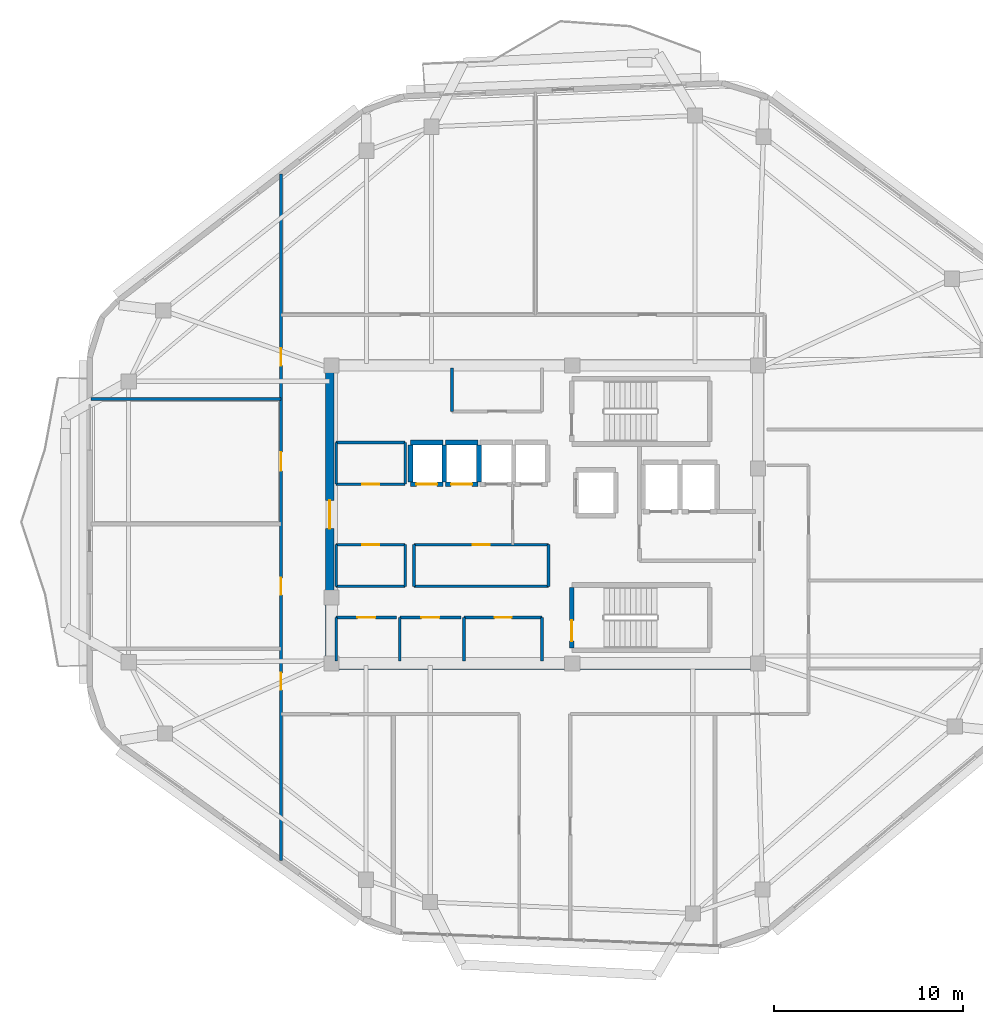
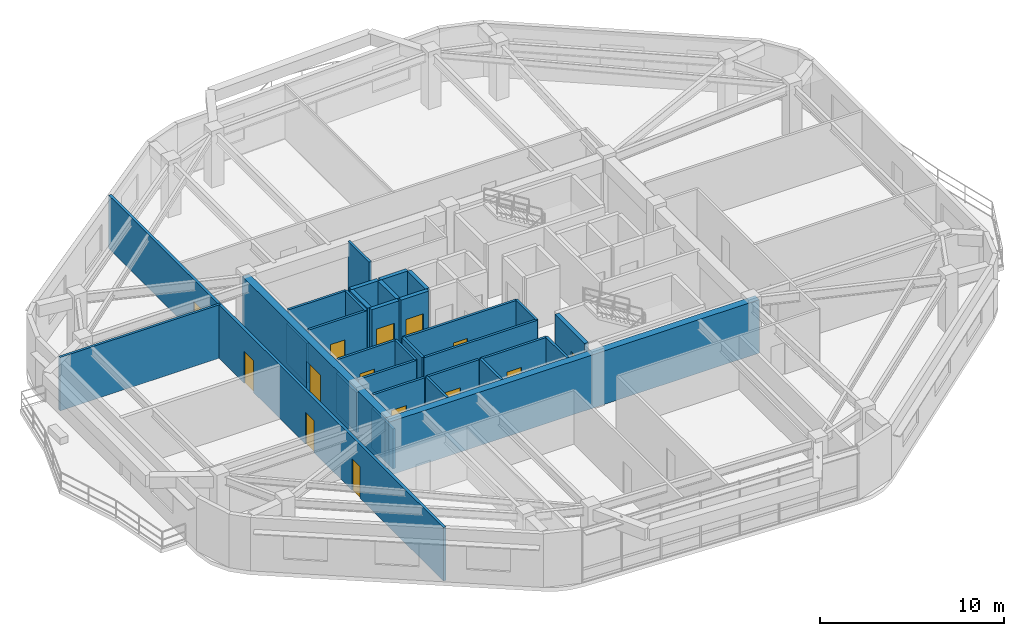
# One storey, part 8 of 13: 32 walls, 14 doors, 14 openings.
"""IFC4 building model written with IfcOpenShell, lengths in metres."""

import ifcopenshell
import ifcopenshell.guid

model = None  # the IFC model being written
_history = None  # IfcOwnerHistory: only IFC2X3 demands one
_inside = {}  # id of a spatial element -> (the spatial element, [elements in it])
_under = {}  # id of a project, library or spatial element -> (it, [spatial elements below it])
_declared = {}  # id of a project -> (the project, [libraries it declares])
_typed = {}  # id of a type object -> (the type object, [elements of that type])
_made_of = {}  # id of a material, layer set ... -> (it, [elements and type objects made of it])


def new_model(schema):
    """Start an empty IFC model of exactly this schema.

    Asked for "IFC4X3", IfcOpenShell would pick the latest addendum, in which some entities
    have other attributes; the version numbers below select the first issue.
    IFC2X3 requires an IfcOwnerHistory on every rooted entity: one is made here for all.
    """
    global model, _history
    if schema == "IFC4X3":
        model = ifcopenshell.file(schema_version=(4, 3, 0, 0))
    else:
        model = ifcopenshell.file(schema=schema)
    _inside.clear()
    _under.clear()
    _declared.clear()
    _typed.clear()
    _made_of.clear()
    _history = None
    if model.schema == "IFC2X3":
        org = make("IfcOrganization", Name="unknown")
        user = make(
            "IfcPersonAndOrganization",
            ThePerson=make("IfcPerson", FamilyName="unknown"),
            TheOrganization=org,
        )
        app = make(
            "IfcApplication",
            ApplicationDeveloper=org,
            Version="unknown",
            ApplicationFullName="unknown",
            ApplicationIdentifier="unknown",
        )
        _history = make(
            "IfcOwnerHistory",
            OwningUser=user,
            OwningApplication=app,
            ChangeAction="ADDED",
            CreationDate=0,
        )
    return model


def make(cls, **values):
    """One entity of the class cls with the attributes given. An attribute that is None is left unset."""
    return model.create_entity(
        cls, **{name: value for name, value in values.items() if value is not None}
    )


def rooted(cls, **values):
    """An entity with a GlobalId (a new one), such as an element, a storey or a relation."""
    return make(cls, GlobalId=ifcopenshell.guid.new(), OwnerHistory=_history, **values)


def si_unit(unit_type, name, prefix=None):
    """IfcSIUnit, for example si_unit("LENGTHUNIT", "METRE", prefix="MILLI")."""
    return make("IfcSIUnit", UnitType=unit_type, Prefix=prefix, Name=name)


def assignment(units):
    """IfcUnitAssignment: the units of a project."""
    return None if units is None else make("IfcUnitAssignment", Units=units)


def point(xyz):
    """IfcCartesianPoint."""
    return None if xyz is None else make("IfcCartesianPoint", Coordinates=xyz)


def direction(xyz):
    """IfcDirection."""
    return None if xyz is None else make("IfcDirection", DirectionRatios=xyz)


def frame(location, z_axis=None, x_axis=None):
    """IfcAxis2Placement3D, a coordinate frame: its origin and axes. An axis left out is left unset."""
    return make(
        "IfcAxis2Placement3D",
        Location=point(location),
        Axis=direction(z_axis),
        RefDirection=direction(x_axis),
    )


def frame_2d(location, x_axis=None):
    """IfcAxis2Placement2D, a coordinate frame in the plane: its origin and x axis."""
    return make(
        "IfcAxis2Placement2D", Location=point(location), RefDirection=direction(x_axis)
    )


def origin():
    """The frame at (0, 0, 0) with its axes left unset."""
    return frame((0.0, 0.0, 0.0))


def place(relative_to, where):
    """IfcLocalPlacement: puts the frame where relative to a parent placement (None: the world)."""
    return make(
        "IfcLocalPlacement", PlacementRelTo=relative_to, RelativePlacement=where
    )


def context(
    kind, dimensions, precision=None, world=None, true_north=None, identifier=None
):
    """IfcGeometricRepresentationContext, for example the 3D "Model" context."""
    return make(
        "IfcGeometricRepresentationContext",
        ContextIdentifier=identifier,
        ContextType=kind,
        CoordinateSpaceDimension=dimensions,
        Precision=precision,
        WorldCoordinateSystem=world,
        TrueNorth=true_north,
    )


def subcontext(parent, identifier, kind, view, scale=None):
    """IfcGeometricRepresentationSubContext, for example "Body" below "Model"."""
    return make(
        "IfcGeometricRepresentationSubContext",
        ContextIdentifier=identifier,
        ContextType=kind,
        ParentContext=parent,
        TargetScale=scale,
        TargetView=view,
    )


def project(units=None, contexts=None):
    """IfcProject with its units and contexts."""
    return rooted(
        "IfcProject",
        Name="project",
        RepresentationContexts=contexts,
        UnitsInContext=assignment(units),
    )


def spatial(cls, under=None, at=None, **own):
    """A site, building, storey or space (cls), placed at a placement, below another one or the project."""
    s = rooted(cls, ObjectPlacement=at, **own)
    if under is not None:
        _under.setdefault(under.id(), (under, []))[1].append(s)
    return s


def profile(cls, at=None, kind="AREA", **sizes):
    """A parametric profile (cls). Its sizes go by their IFC names, for example OverallWidth=200.0."""
    return make(cls, ProfileType=kind, Position=at, **sizes)


def rectangle(**sizes):
    """IfcRectangleProfileDef."""
    return profile("IfcRectangleProfileDef", **sizes)


def extrude(swept, where, along, depth):
    """IfcExtrudedAreaSolid: the profile swept, set in the frame where, extruded along a direction by depth."""
    return make(
        "IfcExtrudedAreaSolid",
        SweptArea=swept,
        Position=where,
        ExtrudedDirection=direction(along),
        Depth=depth,
    )


def shape(context_of_items, identifier, shape_type, items):
    """IfcShapeRepresentation: the items that make up one representation, for example the "Body"."""
    return make(
        "IfcShapeRepresentation",
        ContextOfItems=context_of_items,
        RepresentationIdentifier=identifier,
        RepresentationType=shape_type,
        Items=items,
    )


def material(Name=None, Category=None):
    """IfcMaterial."""
    return make("IfcMaterial", Name=Name, Category=Category)


def layer(
    of_material, thickness, ventilated=None, Name=None, Category=None, Priority=None
):
    """IfcMaterialLayer: one layer of a wall or slab, of a material (None: an air gap)."""
    return make(
        "IfcMaterialLayer",
        Material=of_material,
        LayerThickness=thickness,
        IsVentilated=ventilated,
        Name=Name,
        Category=Category,
        Priority=Priority,
    )


def layer_set(layers, Name=None):
    """IfcMaterialLayerSet."""
    return make("IfcMaterialLayerSet", MaterialLayers=layers, LayerSetName=Name)


def made_of(thing, what):
    """Note that an element or type object is made of a material, layer set ...; save() writes the relation."""
    if what is not None:
        _made_of.setdefault(what.id(), (what, []))[1].append(thing)
    return thing


def type_object(cls, material=None, **own):
    """A type object (cls), such as IfcWallType, which elements share."""
    return made_of(rooted(cls, **own), material)


def element(
    cls,
    number,
    at=None,
    inside=None,
    cuts=None,
    type_object=None,
    material=None,
    context=None,
    identifier="Body",
    shape_type=None,
    held_by="IfcProductDefinitionShape",
    body=None,
    shapes=None,
    **own,
):
    """One element of the class cls, such as IfcWall. Its Tag is "e" and its number.

    at: its placement. inside: the storey or other place that contains it. cuts: it is an
    opening in that element (IfcRelVoidsElement). A single representation is given by context,
    identifier, shape_type and body (its items); several are given by shapes. held_by: the class
    of the entity that holds the representations. save() writes the other relations.
    """
    e = rooted(cls, Tag="e%d" % number, ObjectPlacement=at, **own)
    if body is not None:
        shapes = [shape(context, identifier, shape_type, body)]
    if shapes is not None:
        e.Representation = make(held_by, Representations=shapes)
    if inside is not None:
        _inside.setdefault(inside.id(), (inside, []))[1].append(e)
    if cuts is not None:
        rooted(
            "IfcRelVoidsElement", RelatingBuildingElement=cuts, RelatedOpeningElement=e
        )
    if type_object is not None:
        _typed.setdefault(type_object.id(), (type_object, []))[1].append(e)
    return made_of(e, material)


def fill(opening, filler):
    """IfcRelFillsElement: the door or window that sits in an opening."""
    return rooted(
        "IfcRelFillsElement",
        RelatingOpeningElement=opening,
        RelatedBuildingElement=filler,
    )


def aggregate(whole, parts):
    """IfcRelAggregates: a whole, such as a stair, and the parts it consists of."""
    return rooted("IfcRelAggregates", RelatingObject=whole, RelatedObjects=parts)


def save(model, path):
    """Write the relations noted so far, then the file.

    IfcRelAggregates (storeys below a building ...), IfcRelContainedInSpatialStructure (elements
    in a storey), IfcRelDefinesByType, IfcRelAssociatesMaterial and IfcRelDeclares: one each for
    every whole, place, type object, material and project.
    """
    for whole, parts in _under.values():
        aggregate(whole, parts)
    for where, things in _inside.values():
        rooted(
            "IfcRelContainedInSpatialStructure",
            RelatedElements=things,
            RelatingStructure=where,
        )
    for kind, things in _typed.values():
        rooted("IfcRelDefinesByType", RelatedObjects=things, RelatingType=kind)
    for what, things in _made_of.values():
        rooted("IfcRelAssociatesMaterial", RelatedObjects=things, RelatingMaterial=what)
    for by, libraries in _declared.values():
        rooted("IfcRelDeclares", RelatingContext=by, RelatedDefinitions=libraries)
    model.write(path)


model = new_model("IFC4")

# Units and contexts
model_context = context("Model", 3, precision=1e-05, world=origin(), true_north=direction((0.0, 1.0)))
body_context = subcontext(model_context, "Body", "Model", "MODEL_VIEW")
ifc_project = project(units=[si_unit("LENGTHUNIT", "METRE"), si_unit("AREAUNIT", "SQUARE_METRE"), si_unit("VOLUMEUNIT", "CUBIC_METRE"), si_unit("PLANEANGLEUNIT", "RADIAN"), si_unit("MASSUNIT", "GRAM", prefix="KILO")], contexts=[model_context])

# Site, building, storey
site_placement = place(None, origin())
site = spatial("IfcSite", under=ifc_project, at=site_placement, CompositionType="ELEMENT")
building_placement = place(site_placement, origin())
building = spatial("IfcBuilding", under=site, at=building_placement, Name="Zulverin Broadcast Headquarters", CompositionType="ELEMENT")
storey_placement = place(building_placement, frame((0.0, 0.0, 301.0)))
storey = spatial("IfcBuildingStorey", under=building, at=storey_placement, Name="L77", CompositionType="ELEMENT", Elevation=301.0)

# Wall
ifc_material_1 = material(Name="Concrete C50/60", Category="concrete")
ifc_layer_1 = layer(ifc_material_1, 0.449951171875, Name="Concrete C50/60", Category="concrete")
ifc_layer_set_1 = layer_set([ifc_layer_1], Name="Concrete C50/60")
wall_type_1 = type_object("IfcWallType", Name="WL-CORE-450", PredefinedType="SHEAR", material=ifc_layer_set_1)
wall_1_placement = place(storey_placement, frame((25.39990234375, 17.22509765625, 0.0), z_axis=(0.0, 0.0, 1.0), x_axis=(1.0, 0.0, 0.0)))
element("IfcWall", 1, at=wall_1_placement, inside=storey, type_object=wall_type_1, Name="L77 Core South Shear Wall", PredefinedType="SHEAR", context=body_context, shape_type="SweptSolid", body=[
    extrude(rectangle(XDim=23.2001953125, YDim=0.449951171875, at=frame_2d((11.60009765625, 0.0))), origin(), (0.0, 0.0, 1.0), 3.5400390625),
])

# Wall, opening, door
wall_2_placement = place(storey_placement, frame((25.625, 17.449951171875, 0.0), z_axis=(0.0, 0.0, 1.0), x_axis=(0.0, 1.0, 0.0)))
wall_2 = element("IfcWall", 2, at=wall_2_placement, inside=storey, type_object=wall_type_1, Name="L77 Core West Shear Wall", PredefinedType="SHEAR", context=body_context, shape_type="SweptSolid", body=[
    extrude(rectangle(XDim=15.5, YDim=0.449951171875, at=frame_2d((7.75, 0.0))), origin(), (0.0, 0.0, 1.0), 3.5400390625),
])
opening_1_placement = place(wall_2_placement, frame((7.0, 0.0, 0.0)))
opening_1 = element("IfcOpeningElement", 3, at=opening_1_placement, cuts=wall_2, Name="Opening D-L77-CW1", PredefinedType="OPENING", context=body_context, shape_type="SweptSolid", body=[
    extrude(rectangle(XDim=1.5, YDim=2.14990234375, at=frame_2d((0.75, 1.074951171875))), frame((0.0, 0.23486328125, 0.0), z_axis=(0.0, -1.0, 0.0), x_axis=(1.0, 0.0, 0.0)), (0.0, 0.0, 1.0), 0.469970703125),
])
ifc_material_2 = material(Name="Fire-rated glazed steel frame", Category="steel")
door_type_1 = type_object("IfcDoorType", Name="DR-COR-1500", OperationType="DOUBLE_DOOR_SINGLE_SWING", PredefinedType="DOOR", material=ifc_material_2)
door_1_placement = place(opening_1_placement, origin())
door_1 = element("IfcDoor", 4, at=door_1_placement, inside=storey, type_object=door_type_1, Name="L77 Central Lift Lobby West Portal Door", OperationType="DOUBLE_DOOR_SINGLE_SWING", OverallHeight=2.14990234375, OverallWidth=1.5, PredefinedType="DOOR", context=body_context, shape_type="SweptSolid", body=[
    extrude(rectangle(XDim=1.5, YDim=2.14990234375, at=frame_2d((0.75, 1.074951171875))), frame((0.0, 0.02490234375, 0.0), z_axis=(0.0, -1.0, 0.0), x_axis=(1.0, 0.0, 0.0)), (0.0, 0.0, 1.0), 0.050048828125),
])
fill(opening_1, door_1)

# Wall
ifc_material_3 = material(Name="Fire-rated gypsum stud partition", Category="gypsum")
ifc_layer_2 = layer(ifc_material_3, 0.14990234375, Name="Fire-rated gypsum stud partition", Category="gypsum")
ifc_layer_set_2 = layer_set([ifc_layer_2], Name="Fire-rated gypsum stud partition")
wall_type_2 = type_object("IfcWallType", Name="WL-PART-150", PredefinedType="PARTITIONING", material=ifc_layer_set_2)
wall_3_placement = place(storey_placement, frame((32.10009765625, 30.64990234375, 0.0), z_axis=(0.0, 0.0, 1.0), x_axis=(0.0, 1.0, 0.0)))
element("IfcWall", 5, at=wall_3_placement, inside=storey, type_object=wall_type_2, Name="L77 Core Accessible WC & Electrical Riser West Wall", PredefinedType="PARTITIONING", context=body_context, shape_type="SweptSolid", body=[
    extrude(rectangle(XDim=2.300048828125, YDim=0.14990234375, at=frame_2d((1.14990234375, 0.0))), origin(), (0.0, 0.0, 1.0), 3.5400390625),
])

# Wall, opening, door
wall_4_placement = place(storey_placement, frame((25.969970703125, 19.75, 0.0), z_axis=(0.0, 0.0, 1.0), x_axis=(1.0, 0.0, 0.0)))
wall_4 = element("IfcWall", 6, at=wall_4_placement, inside=storey, type_object=wall_type_2, Name="L77 Core Male WC Front Wall", PredefinedType="PARTITIONING", context=body_context, shape_type="SweptSolid", body=[
    extrude(rectangle(XDim=3.199951171875, YDim=0.14990234375, at=frame_2d((1.60009765625, 0.0))), origin(), (0.0, 0.0, 1.0), 3.5400390625),
])
opening_2_placement = place(wall_4_placement, frame((1.125, 0.0, 0.0)))
opening_2 = element("IfcOpeningElement", 7, at=opening_2_placement, cuts=wall_4, Name="Opening D-L77-SC1", PredefinedType="OPENING", context=body_context, shape_type="SweptSolid", body=[
    extrude(rectangle(XDim=0.949951171875, YDim=2.10009765625, at=frame_2d((0.47509765625, 1.050048828125))), frame((0.0, 0.0849609375, 0.0), z_axis=(0.0, -1.0, 0.0), x_axis=(1.0, 0.0, 0.0)), (0.0, 0.0, 1.0), 0.169921875),
])
ifc_material_4 = material(Name="Fire-rated moisture-resistant laminate leaf", Category="wood")
door_type_2 = type_object("IfcDoorType", Name="DR-WC-950", OperationType="SINGLE_SWING_LEFT", PredefinedType="DOOR", material=ifc_material_4)
door_2_placement = place(opening_2_placement, origin())
door_2 = element("IfcDoor", 8, at=door_2_placement, inside=storey, type_object=door_type_2, Name="L77 Male WC Door", OperationType="SINGLE_SWING_RIGHT", OverallHeight=2.10009765625, OverallWidth=0.949951171875, PredefinedType="DOOR", context=body_context, shape_type="SweptSolid", body=[
    extrude(rectangle(XDim=0.949951171875, YDim=2.10009765625, at=frame_2d((0.47509765625, 1.050048828125))), frame((0.0, 0.02490234375, 0.0), z_axis=(0.0, -1.0, 0.0), x_axis=(1.0, 0.0, 0.0)), (0.0, 0.0, 1.0), 0.050048828125),
])
fill(opening_2, door_2)

# Wall
wall_5_placement = place(storey_placement, frame((25.969970703125, 17.449951171875, 0.0), z_axis=(0.0, 0.0, 1.0), x_axis=(0.0, 1.0, 0.0)))
element("IfcWall", 9, at=wall_5_placement, inside=storey, type_object=wall_type_2, Name="L77 Core Male WC West Wall", PredefinedType="PARTITIONING", context=body_context, shape_type="SweptSolid", body=[
    extrude(rectangle(XDim=2.300048828125, YDim=0.14990234375, at=frame_2d((1.14990234375, 0.0))), origin(), (0.0, 0.0, 1.0), 2.639892578125),
])

# Wall, opening, door
wall_6_placement = place(storey_placement, frame((29.330078125, 19.75, 0.0), z_axis=(0.0, 0.0, 1.0), x_axis=(1.0, 0.0, 0.0)))
wall_6 = element("IfcWall", 10, at=wall_6_placement, inside=storey, type_object=wall_type_2, Name="L77 Core Female WC Front Wall", PredefinedType="PARTITIONING", context=body_context, shape_type="SweptSolid", body=[
    extrude(rectangle(XDim=3.239990234375, YDim=0.14990234375, at=frame_2d((1.6201171875, 0.0))), origin(), (0.0, 0.0, 1.0), 3.5400390625),
])
opening_3_placement = place(wall_6_placement, frame((1.14501953125, 0.0, 0.0)))
opening_3 = element("IfcOpeningElement", 11, at=opening_3_placement, cuts=wall_6, Name="Opening D-L77-SC2", PredefinedType="OPENING", context=body_context, shape_type="SweptSolid", body=[
    extrude(rectangle(XDim=0.949951171875, YDim=2.10009765625, at=frame_2d((0.47509765625, 1.050048828125))), frame((0.0, 0.0849609375, 0.0), z_axis=(0.0, -1.0, 0.0), x_axis=(1.0, 0.0, 0.0)), (0.0, 0.0, 1.0), 0.169921875),
])
door_3_placement = place(opening_3_placement, origin())
door_3 = element("IfcDoor", 12, at=door_3_placement, inside=storey, type_object=door_type_2, Name="L77 Female WC Door", OperationType="SINGLE_SWING_LEFT", OverallHeight=2.10009765625, OverallWidth=0.949951171875, PredefinedType="DOOR", context=body_context, shape_type="SweptSolid", body=[
    extrude(rectangle(XDim=0.949951171875, YDim=2.10009765625, at=frame_2d((0.47509765625, 1.050048828125))), frame((0.0, 0.02490234375, 0.0), z_axis=(0.0, -1.0, 0.0), x_axis=(1.0, 0.0, 0.0)), (0.0, 0.0, 1.0), 0.050048828125),
])
fill(opening_3, door_3)

# Wall
wall_7_placement = place(storey_placement, frame((29.330078125, 17.449951171875, 0.0), z_axis=(0.0, 0.0, 1.0), x_axis=(0.0, 1.0, 0.0)))
element("IfcWall", 13, at=wall_7_placement, inside=storey, type_object=wall_type_2, Name="L77 Core Female WC West Wall", PredefinedType="PARTITIONING", context=body_context, shape_type="SweptSolid", body=[
    extrude(rectangle(XDim=2.300048828125, YDim=0.14990234375, at=frame_2d((1.14990234375, 0.0))), origin(), (0.0, 0.0, 1.0), 3.5400390625),
])

# Wall, opening, door
wall_8_placement = place(storey_placement, frame((32.72998046875, 19.75, 0.0), z_axis=(0.0, 0.0, 1.0), x_axis=(1.0, 0.0, 0.0)))
wall_8 = element("IfcWall", 14, at=wall_8_placement, inside=storey, type_object=wall_type_2, Name="L77 Core Cleaner Store Front Wall", PredefinedType="PARTITIONING", context=body_context, shape_type="SweptSolid", body=[
    extrude(rectangle(XDim=4.1201171875, YDim=0.14990234375, at=frame_2d((2.06005859375, 0.0))), origin(), (0.0, 0.0, 1.0), 3.5400390625),
])
opening_4_placement = place(wall_8_placement, frame((1.610107421875, 0.0, 0.0)))
opening_4 = element("IfcOpeningElement", 15, at=opening_4_placement, cuts=wall_8, Name="Opening D-L77-SC3", PredefinedType="OPENING", context=body_context, shape_type="SweptSolid", body=[
    extrude(rectangle(XDim=0.89990234375, YDim=2.10009765625, at=frame_2d((0.449951171875, 1.050048828125))), frame((0.0, 0.0849609375, 0.0), z_axis=(0.0, -1.0, 0.0), x_axis=(1.0, 0.0, 0.0)), (0.0, 0.0, 1.0), 0.169921875),
])
ifc_material_5 = material(Name="Powder-coated steel access leaf", Category="steel")
door_type_3 = type_object("IfcDoorType", Name="DR-RISER-900", OperationType="SINGLE_SWING_LEFT", PredefinedType="DOOR", material=ifc_material_5)
door_4_placement = place(opening_4_placement, origin())
door_4 = element("IfcDoor", 16, at=door_4_placement, inside=storey, type_object=door_type_3, Name="L77 Cleaner Store Door", OperationType="SINGLE_SWING_RIGHT", OverallHeight=2.10009765625, OverallWidth=0.89990234375, PredefinedType="DOOR", context=body_context, shape_type="SweptSolid", body=[
    extrude(rectangle(XDim=0.89990234375, YDim=2.10009765625, at=frame_2d((0.449951171875, 1.050048828125))), frame((0.0, 0.02490234375, 0.0), z_axis=(0.0, -1.0, 0.0), x_axis=(1.0, 0.0, 0.0)), (0.0, 0.0, 1.0), 0.050048828125),
])
fill(opening_4, door_4)

# Walls
for number, where, z_axis, x_axis, name in (
    (17, (32.72998046875, 17.449951171875, 0.0), (0.0, 0.0, 1.0), (0.0, 1.0, 0.0), "L77 Core Cleaner Store West Wall"),
    (18, (36.85009765625, 17.449951171875, 0.0), (0.0, 0.0, 1.0), (0.0, 1.0, 0.0), "L77 Core Cleaner Store East Wall"),
):
    element("IfcWall", number, at=place(storey_placement, frame(where, z_axis=z_axis, x_axis=x_axis)), inside=storey, type_object=wall_type_2, Name=name, PredefinedType="PARTITIONING", context=body_context, shape_type="SweptSolid", body=[
        extrude(rectangle(XDim=2.300048828125, YDim=0.14990234375, at=frame_2d((1.14990234375, 0.0))), origin(), (0.0, 0.0, 1.0), 3.5400390625),
    ])

# Wall, opening, door
wall_9_placement = place(storey_placement, frame((25.969970703125, 26.800048828125, 0.0), z_axis=(0.0, 0.0, 1.0), x_axis=(1.0, 0.0, 0.0)))
wall_9 = element("IfcWall", 19, at=wall_9_placement, inside=storey, type_object=wall_type_2, Name="L77 Broadcast Signal Patch Room S Wall", PredefinedType="PARTITIONING", context=body_context, shape_type="SweptSolid", body=[
    extrude(rectangle(XDim=3.650146484375, YDim=0.14990234375, at=frame_2d((1.8251953125, 0.0))), origin(), (0.0, 0.0, 1.0), 3.5400390625),
])
opening_5_placement = place(wall_9_placement, frame((1.375, 0.0, 0.0)))
opening_5 = element("IfcOpeningElement", 20, at=opening_5_placement, cuts=wall_9, Name="Opening D-L77-RCLN", PredefinedType="OPENING", context=body_context, shape_type="SweptSolid", body=[
    extrude(rectangle(XDim=0.89990234375, YDim=2.10009765625, at=frame_2d((0.449951171875, 1.050048828125))), frame((0.0, 0.0849609375, 0.0), z_axis=(0.0, -1.0, 0.0), x_axis=(1.0, 0.0, 0.0)), (0.0, 0.0, 1.0), 0.169921875),
])
door_5_placement = place(opening_5_placement, origin())
door_5 = element("IfcDoor", 21, at=door_5_placement, inside=storey, type_object=door_type_3, Name="L77 Broadcast Signal Patch Room Door", OperationType="SINGLE_SWING_LEFT", OverallHeight=2.10009765625, OverallWidth=0.89990234375, PredefinedType="DOOR", context=body_context, shape_type="SweptSolid", body=[
    extrude(rectangle(XDim=0.89990234375, YDim=2.10009765625, at=frame_2d((0.449951171875, 1.050048828125))), frame((0.0, 0.02490234375, 0.0), z_axis=(0.0, -1.0, 0.0), x_axis=(1.0, 0.0, 0.0)), (0.0, 0.0, 1.0), 0.050048828125),
])
fill(opening_5, door_5)

# Walls
wall_10_placement = place(storey_placement, frame((25.969970703125, 29.0, 0.0), z_axis=(0.0, 0.0, 1.0), x_axis=(1.0, 0.0, 0.0)))
element("IfcWall", 22, at=wall_10_placement, inside=storey, type_object=wall_type_2, Name="L77 Broadcast Signal Patch Room N Wall", PredefinedType="PARTITIONING", context=body_context, shape_type="SweptSolid", body=[
    extrude(rectangle(XDim=3.650146484375, YDim=0.14990234375, at=frame_2d((1.8251953125, 0.0))), origin(), (0.0, 0.0, 1.0), 3.5400390625),
])
wall_11_placement = place(storey_placement, frame((25.969970703125, 26.800048828125, 0.0), z_axis=(0.0, 0.0, 1.0), x_axis=(0.0, 1.0, 0.0)))
element("IfcWall", 23, at=wall_11_placement, inside=storey, type_object=wall_type_2, Name="L77 Broadcast Signal Patch Room W Wall", PredefinedType="PARTITIONING", context=body_context, shape_type="SweptSolid", body=[
    extrude(rectangle(XDim=2.199951171875, YDim=0.14990234375, at=frame_2d((1.10009765625, 0.0))), origin(), (0.0, 0.0, 1.0), 2.639892578125),
])
wall_12_placement = place(storey_placement, frame((29.6201171875, 26.800048828125, 0.0), z_axis=(0.0, 0.0, 1.0), x_axis=(0.0, 1.0, 0.0)))
element("IfcWall", 24, at=wall_12_placement, inside=storey, type_object=wall_type_2, Name="L77 Broadcast Signal Patch Room E Wall", PredefinedType="PARTITIONING", context=body_context, shape_type="SweptSolid", body=[
    extrude(rectangle(XDim=2.199951171875, YDim=0.14990234375, at=frame_2d((1.10009765625, 0.0))), origin(), (0.0, 0.0, 1.0), 3.5400390625),
])
wall_13_placement = place(storey_placement, frame((25.969970703125, 21.39990234375, 0.0), z_axis=(0.0, 0.0, 1.0), x_axis=(1.0, 0.0, 0.0)))
element("IfcWall", 25, at=wall_13_placement, inside=storey, type_object=wall_type_2, Name="L77 Housekeeping Equipment Store S Wall", PredefinedType="PARTITIONING", context=body_context, shape_type="SweptSolid", body=[
    extrude(rectangle(XDim=3.650146484375, YDim=0.14990234375, at=frame_2d((1.8251953125, 0.0))), origin(), (0.0, 0.0, 1.0), 3.5400390625),
])

# Wall, opening, door
wall_14_placement = place(storey_placement, frame((25.969970703125, 23.60009765625, 0.0), z_axis=(0.0, 0.0, 1.0), x_axis=(1.0, 0.0, 0.0)))
wall_14 = element("IfcWall", 26, at=wall_14_placement, inside=storey, type_object=wall_type_2, Name="L77 Housekeeping Equipment Store N Wall", PredefinedType="PARTITIONING", context=body_context, shape_type="SweptSolid", body=[
    extrude(rectangle(XDim=3.650146484375, YDim=0.14990234375, at=frame_2d((1.8251953125, 0.0))), origin(), (0.0, 0.0, 1.0), 3.5400390625),
])
opening_6_placement = place(wall_14_placement, frame((1.375, 0.0, 0.0)))
opening_6 = element("IfcOpeningElement", 27, at=opening_6_placement, cuts=wall_14, Name="Opening D-L77-RCLS", PredefinedType="OPENING", context=body_context, shape_type="SweptSolid", body=[
    extrude(rectangle(XDim=0.89990234375, YDim=2.10009765625, at=frame_2d((0.449951171875, 1.050048828125))), frame((0.0, 0.0849609375, 0.0), z_axis=(0.0, -1.0, 0.0), x_axis=(1.0, 0.0, 0.0)), (0.0, 0.0, 1.0), 0.169921875),
])
door_6_placement = place(opening_6_placement, origin())
door_6 = element("IfcDoor", 28, at=door_6_placement, inside=storey, type_object=door_type_3, Name="L77 Housekeeping Equipment Store Door", OperationType="SINGLE_SWING_RIGHT", OverallHeight=2.10009765625, OverallWidth=0.89990234375, PredefinedType="DOOR", context=body_context, shape_type="SweptSolid", body=[
    extrude(rectangle(XDim=0.89990234375, YDim=2.10009765625, at=frame_2d((0.449951171875, 1.050048828125))), frame((0.0, 0.02490234375, 0.0), z_axis=(0.0, -1.0, 0.0), x_axis=(1.0, 0.0, 0.0)), (0.0, 0.0, 1.0), 0.050048828125),
])
fill(opening_6, door_6)

# Walls
wall_15_placement = place(storey_placement, frame((25.969970703125, 21.39990234375, 0.0), z_axis=(0.0, 0.0, 1.0), x_axis=(0.0, 1.0, 0.0)))
element("IfcWall", 29, at=wall_15_placement, inside=storey, type_object=wall_type_2, Name="L77 Housekeeping Equipment Store W Wall", PredefinedType="PARTITIONING", context=body_context, shape_type="SweptSolid", body=[
    extrude(rectangle(XDim=2.2001953125, YDim=0.14990234375, at=frame_2d((1.10009765625, 0.0))), origin(), (0.0, 0.0, 1.0), 2.639892578125),
])
wall_16_placement = place(storey_placement, frame((29.6201171875, 21.39990234375, 0.0), z_axis=(0.0, 0.0, 1.0), x_axis=(0.0, 1.0, 0.0)))
element("IfcWall", 30, at=wall_16_placement, inside=storey, type_object=wall_type_2, Name="L77 Housekeeping Equipment Store E Wall", PredefinedType="PARTITIONING", context=body_context, shape_type="SweptSolid", body=[
    extrude(rectangle(XDim=2.2001953125, YDim=0.14990234375, at=frame_2d((1.10009765625, 0.0))), origin(), (0.0, 0.0, 1.0), 3.5400390625),
])
wall_17_placement = place(storey_placement, frame((30.080078125, 21.39990234375, 0.0), z_axis=(0.0, 0.0, 1.0), x_axis=(1.0, 0.0, 0.0)))
element("IfcWall", 31, at=wall_17_placement, inside=storey, type_object=wall_type_2, Name="L77 Optical Telemetry Hub Room S Wall", PredefinedType="PARTITIONING", context=body_context, shape_type="SweptSolid", body=[
    extrude(rectangle(XDim=7.119873046875, YDim=0.14990234375, at=frame_2d((3.56005859375, 0.0))), origin(), (0.0, 0.0, 1.0), 3.5400390625),
])

# Wall, opening, door
wall_18_placement = place(storey_placement, frame((30.080078125, 23.60009765625, 0.0), z_axis=(0.0, 0.0, 1.0), x_axis=(1.0, 0.0, 0.0)))
wall_18 = element("IfcWall", 32, at=wall_18_placement, inside=storey, type_object=wall_type_2, Name="L77 Optical Telemetry Hub Room N Wall", PredefinedType="PARTITIONING", context=body_context, shape_type="SweptSolid", body=[
    extrude(rectangle(XDim=7.119873046875, YDim=0.14990234375, at=frame_2d((3.56005859375, 0.0))), origin(), (0.0, 0.0, 1.0), 3.5400390625),
])
opening_7_placement = place(wall_18_placement, frame((3.110107421875, 0.0, 0.0)))
opening_7 = element("IfcOpeningElement", 33, at=opening_7_placement, cuts=wall_18, Name="Opening D-L77-RM1", PredefinedType="OPENING", context=body_context, shape_type="SweptSolid", body=[
    extrude(rectangle(XDim=0.89990234375, YDim=2.10009765625, at=frame_2d((0.449951171875, 1.050048828125))), frame((0.0, 0.0849609375, 0.0), z_axis=(0.0, -1.0, 0.0), x_axis=(1.0, 0.0, 0.0)), (0.0, 0.0, 1.0), 0.169921875),
])
door_7_placement = place(opening_7_placement, origin())
door_7 = element("IfcDoor", 34, at=door_7_placement, inside=storey, type_object=door_type_3, Name="L77 Optical Telemetry Hub Room Door", OperationType="SINGLE_SWING_LEFT", OverallHeight=2.10009765625, OverallWidth=0.89990234375, PredefinedType="DOOR", context=body_context, shape_type="SweptSolid", body=[
    extrude(rectangle(XDim=0.89990234375, YDim=2.10009765625, at=frame_2d((0.449951171875, 1.050048828125))), frame((0.0, 0.02490234375, 0.0), z_axis=(0.0, -1.0, 0.0), x_axis=(1.0, 0.0, 0.0)), (0.0, 0.0, 1.0), 0.050048828125),
])
fill(opening_7, door_7)

# Walls
for number, where, z_axis, x_axis, name in (
    (35, (30.080078125, 21.39990234375, 0.0), (0.0, 0.0, 1.0), (0.0, 1.0, 0.0), "L77 Optical Telemetry Hub Room W Wall"),
    (36, (37.199951171875, 21.39990234375, 0.0), (0.0, 0.0, 1.0), (0.0, 1.0, 0.0), "L77 Optical Telemetry Hub Room E Wall"),
):
    element("IfcWall", number, at=place(storey_placement, frame(where, z_axis=z_axis, x_axis=x_axis)), inside=storey, type_object=wall_type_2, Name=name, PredefinedType="PARTITIONING", context=body_context, shape_type="SweptSolid", body=[
        extrude(rectangle(XDim=2.2001953125, YDim=0.14990234375, at=frame_2d((1.10009765625, 0.0))), origin(), (0.0, 0.0, 1.0), 3.5400390625),
    ])
wall_19_placement = place(storey_placement, frame((13.0048828125, 31.300048828125, 0.0), z_axis=(0.0, 0.0, 1.0), x_axis=(1.0, 0.0, 0.0)))
element("IfcWall", 37, at=wall_19_placement, inside=storey, type_object=wall_type_2, Name="L77 Room Partition Wall RP-17", PredefinedType="PARTITIONING", context=body_context, shape_type="SweptSolid", body=[
    extrude(rectangle(XDim=10.045166015625, YDim=0.14990234375, at=frame_2d((5.0224609375, 0.0))), origin(), (0.0, 0.0, 1.0), 3.5400390625),
])

# Wall, openings, doors
ifc_material_6 = material(Name="Fire-rated acoustic stud wall", Category="gypsum")
ifc_layer_3 = layer(ifc_material_6, 0.175048828125, Name="Fire-rated acoustic stud wall", Category="gypsum")
ifc_layer_set_3 = layer_set([ifc_layer_3], Name="Fire-rated acoustic stud wall")
wall_type_3 = type_object("IfcWallType", Name="WL-PART-175", PredefinedType="PARTITIONING", material=ifc_layer_set_3)
wall_20_placement = place(storey_placement, frame((23.050048828125, 6.89404296875, 0.0), z_axis=(0.0, 0.0, 1.0), x_axis=(0.0, 1.0, 0.0)))
wall_20 = element("IfcWall", 38, at=wall_20_placement, inside=storey, type_object=wall_type_3, Name="L77 Gallery Partition Wall CG-08", PredefinedType="PARTITIONING", context=body_context, shape_type="SweptSolid", body=[
    extrude(rectangle(XDim=36.311767578125, YDim=0.175048828125, at=frame_2d((18.15576171875, 0.0))), origin(), (0.0, 0.0, 1.0), 3.5400390625),
])
opening_8_placement = place(wall_20_placement, frame((9.031005859375, 0.0, 0.0)))
opening_8 = element("IfcOpeningElement", 39, at=opening_8_placement, cuts=wall_20, Name="Opening D-L77-07", PredefinedType="OPENING", context=body_context, shape_type="SweptSolid", body=[
    extrude(rectangle(XDim=0.89990234375, YDim=2.10009765625, at=frame_2d((0.449951171875, 1.050048828125))), frame((0.0, 0.097412109375, 0.0), z_axis=(0.0, -1.0, 0.0), x_axis=(1.0, 0.0, 0.0)), (0.0, 0.0, 1.0), 0.195068359375),
])
opening_9_placement = place(wall_20_placement, frame((14.055908203125, 0.0, 0.0)))
opening_9 = element("IfcOpeningElement", 40, at=opening_9_placement, cuts=wall_20, Name="Opening D-L77-08", PredefinedType="OPENING", context=body_context, shape_type="SweptSolid", body=[
    extrude(rectangle(XDim=0.89990234375, YDim=2.10009765625, at=frame_2d((0.449951171875, 1.050048828125))), frame((0.0, 0.097412109375, 0.0), z_axis=(0.0, -1.0, 0.0), x_axis=(1.0, 0.0, 0.0)), (0.0, 0.0, 1.0), 0.195068359375),
])
opening_10_placement = place(wall_20_placement, frame((20.60595703125, 0.0, 0.0)))
opening_10 = element("IfcOpeningElement", 41, at=opening_10_placement, cuts=wall_20, Name="Opening D-L77-09", PredefinedType="OPENING", context=body_context, shape_type="SweptSolid", body=[
    extrude(rectangle(XDim=1.0, YDim=2.1201171875, at=frame_2d((0.5, 1.06005859375))), frame((0.0, 0.097412109375, 0.0), z_axis=(0.0, -1.0, 0.0), x_axis=(1.0, 0.0, 0.0)), (0.0, 0.0, 1.0), 0.195068359375),
])
opening_11_placement = place(wall_20_placement, frame((26.180908203125, 0.0, 0.0)))
opening_11 = element("IfcOpeningElement", 42, at=opening_11_placement, cuts=wall_20, Name="Opening D-L77-10", PredefinedType="OPENING", context=body_context, shape_type="SweptSolid", body=[
    extrude(rectangle(XDim=0.89990234375, YDim=2.10009765625, at=frame_2d((0.449951171875, 1.050048828125))), frame((0.0, 0.097412109375, 0.0), z_axis=(0.0, -1.0, 0.0), x_axis=(1.0, 0.0, 0.0)), (0.0, 0.0, 1.0), 0.195068359375),
])
ifc_material_7 = material(Name="Hardwood veneer acoustic leaf", Category="wood")
door_type_4 = type_object("IfcDoorType", Name="DR-OFF-1000", OperationType="SINGLE_SWING_LEFT", PredefinedType="DOOR", material=ifc_material_7)
door_8_placement = place(opening_10_placement, origin())
door_8 = element("IfcDoor", 43, at=door_8_placement, inside=storey, type_object=door_type_4, Name="L77 Amenity Management Office Door", OperationType="SINGLE_SWING_LEFT", OverallHeight=2.1201171875, OverallWidth=1.0, PredefinedType="DOOR", context=body_context, shape_type="SweptSolid", body=[
    extrude(rectangle(XDim=1.0, YDim=2.1201171875, at=frame_2d((0.5, 1.06005859375))), frame((0.0, 0.02490234375, 0.0), z_axis=(0.0, -1.0, 0.0), x_axis=(1.0, 0.0, 0.0)), (0.0, 0.0, 1.0), 0.050048828125),
])
fill(opening_10, door_8)
ifc_material_8 = material(Name="Fire-rated hardwood veneer timber leaf", Category="wood")
door_type_5 = type_object("IfcDoorType", Name="DR-ROOM-900", OperationType="SINGLE_SWING_RIGHT", PredefinedType="DOOR", material=ifc_material_8)
door_9_placement = place(opening_8_placement, origin())
door_9 = element("IfcDoor", 44, at=door_9_placement, inside=storey, type_object=door_type_5, Name="L77 Sky Horizon Restaurant Door", OperationType="SINGLE_SWING_LEFT", OverallHeight=2.10009765625, OverallWidth=0.89990234375, PredefinedType="DOOR", context=body_context, shape_type="SweptSolid", body=[
    extrude(rectangle(XDim=0.89990234375, YDim=2.10009765625, at=frame_2d((0.449951171875, 1.050048828125))), frame((0.0, 0.02490234375, 0.0), z_axis=(0.0, -1.0, 0.0), x_axis=(1.0, 0.0, 0.0)), (0.0, 0.0, 1.0), 0.050048828125),
])
fill(opening_8, door_9)
door_10_placement = place(opening_9_placement, origin())
door_10 = element("IfcDoor", 45, at=door_10_placement, inside=storey, type_object=door_type_5, Name="L77 Concierge Reception Door", OperationType="SINGLE_SWING_RIGHT", OverallHeight=2.10009765625, OverallWidth=0.89990234375, PredefinedType="DOOR", context=body_context, shape_type="SweptSolid", body=[
    extrude(rectangle(XDim=0.89990234375, YDim=2.10009765625, at=frame_2d((0.449951171875, 1.050048828125))), frame((0.0, 0.02490234375, 0.0), z_axis=(0.0, -1.0, 0.0), x_axis=(1.0, 0.0, 0.0)), (0.0, 0.0, 1.0), 0.050048828125),
])
fill(opening_9, door_10)
door_11_placement = place(opening_11_placement, origin())
door_11 = element("IfcDoor", 46, at=door_11_placement, inside=storey, type_object=door_type_5, Name="L77 Club Committee Meeting Room Door", OperationType="SINGLE_SWING_RIGHT", OverallHeight=2.10009765625, OverallWidth=0.89990234375, PredefinedType="DOOR", context=body_context, shape_type="SweptSolid", body=[
    extrude(rectangle(XDim=0.89990234375, YDim=2.10009765625, at=frame_2d((0.449951171875, 1.050048828125))), frame((0.0, 0.02490234375, 0.0), z_axis=(0.0, -1.0, 0.0), x_axis=(1.0, 0.0, 0.0)), (0.0, 0.0, 1.0), 0.050048828125),
])
fill(opening_11, door_11)

# Wall, opening, door
ifc_layer_4 = layer(ifc_material_1, 0.25, Name="Concrete C50/60", Category="concrete")
ifc_layer_set_4 = layer_set([ifc_layer_4], Name="Concrete C50/60")
wall_type_4 = type_object("IfcWallType", Name="WL-SHAFT-250", PredefinedType="SHEAR", material=ifc_layer_set_4)
wall_21_placement = place(storey_placement, frame((38.425048828125, 18.14990234375, 0.0), z_axis=(0.0, 0.0, 1.0), x_axis=(0.0, 1.0, 0.0)))
wall_21 = element("IfcWall", 47, at=wall_21_placement, inside=storey, type_object=wall_type_4, Name="L77 ST-2 Enclosure Wall W", PredefinedType="SHEAR", context=body_context, shape_type="SweptSolid", body=[
    extrude(rectangle(XDim=3.2001953125, YDim=0.25, at=frame_2d((1.60009765625, 0.0))), origin(), (0.0, 0.0, 1.0), 3.5400390625),
])
opening_12_placement = place(wall_21_placement, frame((0.35009765625, 0.0, 0.0)))
opening_12 = element("IfcOpeningElement", 48, at=opening_12_placement, cuts=wall_21, Name="Opening D-L77-ST-2", PredefinedType="OPENING", context=body_context, shape_type="SweptSolid", body=[
    extrude(rectangle(XDim=1.10009765625, YDim=2.14990234375, at=frame_2d((0.550048828125, 1.074951171875))), frame((0.0, 0.135009765625, 0.0), z_axis=(0.0, -1.0, 0.0), x_axis=(1.0, 0.0, 0.0)), (0.0, 0.0, 1.0), 0.27001953125),
])
ifc_material_9 = material(Name="Fire-rated steel leaf and frame", Category="steel")
door_type_6 = type_object("IfcDoorType", Name="DR-STAIR-1100", OperationType="SINGLE_SWING_LEFT", PredefinedType="DOOR", material=ifc_material_9)
door_12_placement = place(opening_12_placement, origin())
door_12 = element("IfcDoor", 49, at=door_12_placement, inside=storey, type_object=door_type_6, Name="L77 Exit Stair ST-2 Fire Door", OperationType="SINGLE_SWING_RIGHT", OverallHeight=2.14990234375, OverallWidth=1.10009765625, PredefinedType="DOOR", context=body_context, shape_type="SweptSolid", body=[
    extrude(rectangle(XDim=1.10009765625, YDim=2.14990234375, at=frame_2d((0.550048828125, 1.074951171875))), frame((0.0, 0.02490234375, 0.0), z_axis=(0.0, -1.0, 0.0), x_axis=(1.0, 0.0, 0.0)), (0.0, 0.0, 1.0), 0.050048828125),
])
fill(opening_12, door_12)

wall_22_placement = place(storey_placement, frame((29.89990234375, 26.800048828125, 0.0), z_axis=(0.0, 0.0, 1.0), x_axis=(1.0, 0.0, 0.0)))
wall_22 = element("IfcWall", 50, at=wall_22_placement, inside=storey, type_object=wall_type_4, Name="L77 Lift PL-H1 Shaft Wall S", PredefinedType="SHEAR", context=body_context, shape_type="SweptSolid", body=[
    extrude(rectangle(XDim=1.72021484375, YDim=0.25, at=frame_2d((0.860107421875, 0.0))), origin(), (0.0, 0.0, 1.0), 3.5400390625),
])
opening_13_placement = place(wall_22_placement, frame((0.31005859375, 0.0, 0.0)))
opening_13 = element("IfcOpeningElement", 51, at=opening_13_placement, cuts=wall_22, Name="Opening LD-PL-H1-L77", PredefinedType="OPENING", context=body_context, shape_type="SweptSolid", body=[
    extrude(rectangle(XDim=1.10009765625, YDim=2.14990234375, at=frame_2d((0.550048828125, 1.074951171875))), frame((0.0, 0.135009765625, 0.0), z_axis=(0.0, -1.0, 0.0), x_axis=(1.0, 0.0, 0.0)), (0.0, 0.0, 1.0), 0.27001953125),
])
ifc_material_10 = material(Name="Brushed stainless steel landing", Category="steel")
door_type_7 = type_object("IfcDoorType", Name="LD-PASS-1100", OperationType="DOUBLE_DOOR_SLIDING", PredefinedType="DOOR", material=ifc_material_10)
door_13_placement = place(opening_13_placement, origin())
door_13 = element("IfcDoor", 52, at=door_13_placement, inside=storey, type_object=door_type_7, Name="L77 Lift PL-H1 Sliding Landing Door", OperationType="DOUBLE_DOOR_SLIDING", OverallHeight=2.14990234375, OverallWidth=1.10009765625, PredefinedType="DOOR", context=body_context, shape_type="SweptSolid", body=[
    extrude(rectangle(XDim=1.10009765625, YDim=2.14990234375, at=frame_2d((0.550048828125, 1.074951171875))), frame((0.0, 0.02490234375, 0.0), z_axis=(0.0, -1.0, 0.0), x_axis=(1.0, 0.0, 0.0)), (0.0, 0.0, 1.0), 0.050048828125),
])
fill(opening_13, door_13)

# Walls
wall_23_placement = place(storey_placement, frame((29.89990234375, 29.0, 0.0), z_axis=(0.0, 0.0, 1.0), x_axis=(1.0, 0.0, 0.0)))
element("IfcWall", 53, at=wall_23_placement, inside=storey, type_object=wall_type_4, Name="L77 Lift PL-H1 Shaft Wall N", PredefinedType="SHEAR", context=body_context, shape_type="SweptSolid", body=[
    extrude(rectangle(XDim=1.72021484375, YDim=0.25, at=frame_2d((0.860107421875, 0.0))), origin(), (0.0, 0.0, 1.0), 3.5400390625),
])
for number, where, z_axis, x_axis, name in (
    (54, (29.89990234375, 26.919921875, 0.0), (0.0, 0.0, 1.0), (0.0, 1.0, 0.0), "L77 Lift PL-H1 Shaft Wall W"),
    (55, (31.679931640625, 26.919921875, 0.0), (0.0, 0.0, 1.0), (0.0, 1.0, 0.0), "L77 Lift PL-H1 Shaft Wall E"),
):
    element("IfcWall", number, at=place(storey_placement, frame(where, z_axis=z_axis, x_axis=x_axis)), inside=storey, type_object=wall_type_4, Name=name, PredefinedType="SHEAR", context=body_context, shape_type="SweptSolid", body=[
        extrude(rectangle(XDim=1.9599609375, YDim=0.25, at=frame_2d((0.97998046875, 0.0))), origin(), (0.0, 0.0, 1.0), 3.5400390625),
    ])

# Wall, opening, door
wall_24_placement = place(storey_placement, frame((31.739990234375, 26.800048828125, 0.0), z_axis=(0.0, 0.0, 1.0), x_axis=(1.0, 0.0, 0.0)))
wall_24 = element("IfcWall", 56, at=wall_24_placement, inside=storey, type_object=wall_type_4, Name="L77 Lift PL-H2 Shaft Wall S", PredefinedType="SHEAR", context=body_context, shape_type="SweptSolid", body=[
    extrude(rectangle(XDim=1.719970703125, YDim=0.25, at=frame_2d((0.85986328125, 0.0))), origin(), (0.0, 0.0, 1.0), 3.5400390625),
])
opening_14_placement = place(wall_24_placement, frame((0.31005859375, 0.0, 0.0)))
opening_14 = element("IfcOpeningElement", 57, at=opening_14_placement, cuts=wall_24, Name="Opening LD-PL-H2-L77", PredefinedType="OPENING", context=body_context, shape_type="SweptSolid", body=[
    extrude(rectangle(XDim=1.10009765625, YDim=2.14990234375, at=frame_2d((0.550048828125, 1.074951171875))), frame((0.0, 0.135009765625, 0.0), z_axis=(0.0, -1.0, 0.0), x_axis=(1.0, 0.0, 0.0)), (0.0, 0.0, 1.0), 0.27001953125),
])
door_14_placement = place(opening_14_placement, origin())
door_14 = element("IfcDoor", 58, at=door_14_placement, inside=storey, type_object=door_type_7, Name="L77 Lift PL-H2 Sliding Landing Door", OperationType="DOUBLE_DOOR_SLIDING", OverallHeight=2.14990234375, OverallWidth=1.10009765625, PredefinedType="DOOR", context=body_context, shape_type="SweptSolid", body=[
    extrude(rectangle(XDim=1.10009765625, YDim=2.14990234375, at=frame_2d((0.550048828125, 1.074951171875))), frame((0.0, 0.02490234375, 0.0), z_axis=(0.0, -1.0, 0.0), x_axis=(1.0, 0.0, 0.0)), (0.0, 0.0, 1.0), 0.050048828125),
])
fill(opening_14, door_14)

# Walls
wall_25_placement = place(storey_placement, frame((31.739990234375, 29.0, 0.0), z_axis=(0.0, 0.0, 1.0), x_axis=(1.0, 0.0, 0.0)))
element("IfcWall", 59, at=wall_25_placement, inside=storey, type_object=wall_type_4, Name="L77 Lift PL-H2 Shaft Wall N", PredefinedType="SHEAR", context=body_context, shape_type="SweptSolid", body=[
    extrude(rectangle(XDim=1.719970703125, YDim=0.25, at=frame_2d((0.85986328125, 0.0))), origin(), (0.0, 0.0, 1.0), 3.5400390625),
])
wall_26_placement = place(storey_placement, frame((33.52001953125, 26.919921875, 0.0), z_axis=(0.0, 0.0, 1.0), x_axis=(0.0, 1.0, 0.0)))
element("IfcWall", 60, at=wall_26_placement, inside=storey, type_object=wall_type_4, Name="L77 Lift PL-H2 Shaft Wall E", PredefinedType="SHEAR", context=body_context, shape_type="SweptSolid", body=[
    extrude(rectangle(XDim=1.9599609375, YDim=0.25, at=frame_2d((0.97998046875, 0.0))), origin(), (0.0, 0.0, 1.0), 3.5400390625),
])

save(model, "model.ifc")
